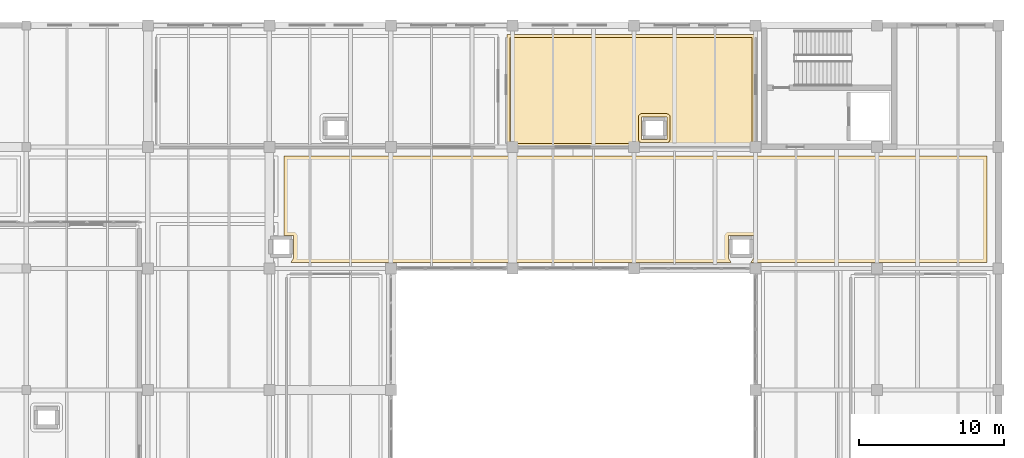
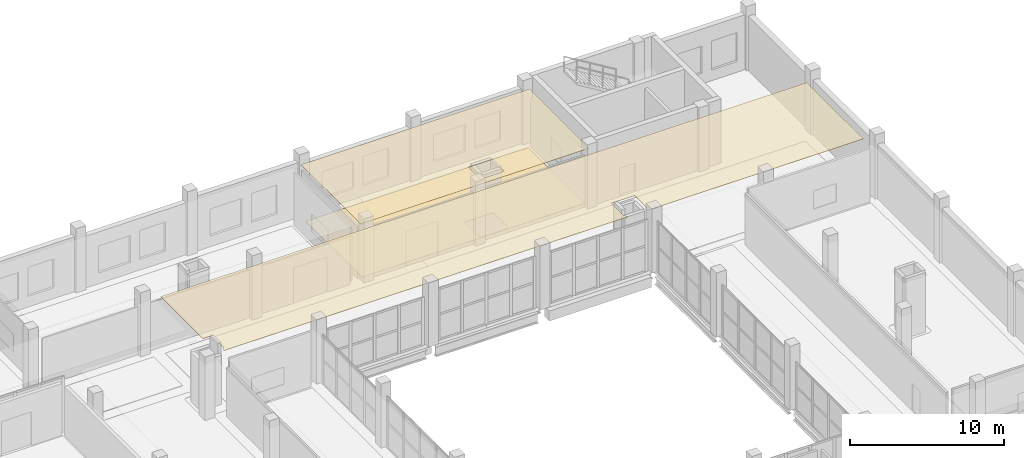
# One storey, part 76 of 77: 3 coverings.
"""IFC4 building model written with IfcOpenShell, lengths in metres."""

from ifc_helpers import new_model, si_unit, direction, frame, origin, place, context, subcontext, project, spatial, polyline, outline, extrude, material, layer, layer_set, type_object, element, save


model = new_model("IFC4")

# Units and contexts
model_context = context("Model", 3, precision=1e-05, world=origin(), true_north=direction((0.0, 1.0)))
body_context = subcontext(model_context, "Body", "Model", "MODEL_VIEW")
ifc_project = project(units=[si_unit("LENGTHUNIT", "METRE"), si_unit("AREAUNIT", "SQUARE_METRE"), si_unit("VOLUMEUNIT", "CUBIC_METRE"), si_unit("PLANEANGLEUNIT", "RADIAN"), si_unit("MASSUNIT", "GRAM", prefix="KILO")], contexts=[model_context])

# Site, building, storey
site_placement = place(None, origin())
site = spatial("IfcSite", under=ifc_project, at=site_placement, CompositionType="ELEMENT")
building_placement = place(site_placement, origin())
building = spatial("IfcBuilding", under=site, at=building_placement, Name="Zulmaris Art Gallery", CompositionType="ELEMENT")
storey_placement = place(building_placement, frame((0.0, 0.0, 15.60009765625)))
storey = spatial("IfcBuildingStorey", under=building, at=storey_placement, Name="L03", CompositionType="ELEMENT", Elevation=15.60009765625)

# Coverings
ifc_material_1 = material(Name="Micro-Perforated Gypsum Acoustic Ceiling", Category="gypsum")
ifc_layer_1 = layer(ifc_material_1, 0.02490234375)
ifc_layer_set_1 = layer_set([ifc_layer_1], Name="Micro-Perforated Gypsum Acoustic Ceiling")
covering_type_1 = type_object("IfcCoveringType", Name="COV-CL01", PredefinedType="CEILING", material=ifc_layer_set_1)
covering_1_placement = place(storey_placement, frame((0.0, 0.0, 4.449951171875)))
element("IfcCovering", 1, at=covering_1_placement, inside=storey, type_object=covering_type_1, Name="L03 V5 North Corridor acoustic ceiling", PredefinedType="CEILING", context=body_context, shape_type="SweptSolid", body=[
    extrude(outline(polyline([(151.678466796875, 59.54150390625), (151.67919921875, 59.544189453125), (151.6796875, 59.547119140625), (151.679931640625, 59.555419921875), (151.679931640625, 61.044677734375), (151.6796875, 61.052978515625), (151.67919921875, 61.055908203125), (151.678466796875, 61.05859375), (151.677490234375, 61.061279296875), (151.67626953125, 61.06396484375), (151.6748046875, 61.06640625), (151.673095703125, 61.06884765625), (151.6708984375, 61.071044921875), (151.6689453125, 61.072998046875), (151.66650390625, 61.07470703125), (151.6640625, 61.076171875), (151.661376953125, 61.077392578125), (151.65869140625, 61.07861328125), (151.65576171875, 61.0791015625), (151.65283203125, 61.07958984375), (151.64453125, 61.080078125), (151.010009765625, 61.080078125), (151.010009765625, 66.590087890625), (199.590087890625, 66.590087890625), (199.590087890625, 59.2099609375), (183.28076171875, 59.2099609375), (183.476318359375, 59.535888671875), (183.4775390625, 59.53857421875), (183.478515625, 59.54150390625), (183.479248046875, 59.544189453125), (183.4794921875, 59.547119140625), (183.47998046875, 59.555419921875), (183.47998046875, 61.044677734375), (183.4794921875, 61.052978515625), (183.479248046875, 61.055908203125), (183.478515625, 61.05859375), (183.4775390625, 61.061279296875), (183.476318359375, 61.06396484375), (183.474609375, 61.06640625), (183.472900390625, 61.06884765625), (183.470947265625, 61.071044921875), (183.468994140625, 61.072998046875), (183.466552734375, 61.07470703125), (183.464111328125, 61.076171875), (183.46142578125, 61.077392578125), (183.45849609375, 61.07861328125), (183.455810546875, 61.0791015625), (183.452880859375, 61.07958984375), (183.444580078125, 61.080078125), (181.75537109375, 61.080078125), (181.7470703125, 61.07958984375), (181.744140625, 61.0791015625), (181.741455078125, 61.07861328125), (181.738525390625, 61.077392578125), (181.736083984375, 61.076171875), (181.7333984375, 61.07470703125), (181.731201171875, 61.072998046875), (181.72900390625, 61.071044921875), (181.72705078125, 61.06884765625), (181.725341796875, 61.06640625), (181.723876953125, 61.06396484375), (181.722412109375, 61.061279296875), (181.721435546875, 61.05859375), (181.720703125, 61.055908203125), (181.720458984375, 61.052978515625), (181.719970703125, 61.044677734375), (181.719970703125, 59.555419921875), (181.720458984375, 59.547119140625), (181.720703125, 59.544189453125), (181.721435546875, 59.54150390625), (181.722412109375, 59.53857421875), (181.723876953125, 59.535888671875), (181.919189453125, 59.2099609375), (151.480712890625, 59.2099609375), (151.67626953125, 59.535888671875), (151.677490234375, 59.53857421875), (151.678466796875, 59.54150390625)])), origin(), (0.0, 0.0, 1.0), 0.030029296875),
])
covering_2_placement = place(storey_placement, frame((0.0, 0.0, 4.449951171875)))
element("IfcCovering", 2, at=covering_2_placement, inside=storey, type_object=covering_type_1, Name="Analytical XRF & Microscopy Conservation Lab acoustic ceiling", PredefinedType="CEILING", context=body_context, shape_type="SweptSolid", body=[
    extrude(outline(polyline([(166.409912109375, 74.989990234375), (183.590087890625, 74.989990234375), (183.590087890625, 67.2099609375), (166.409912109375, 67.2099609375), (166.409912109375, 74.989990234375)]), holes=[polyline([(175.741455078125, 69.278564453125), (175.738525390625, 69.277587890625), (175.736083984375, 69.276123046875), (175.7333984375, 69.274658203125), (175.731201171875, 69.27294921875), (175.72900390625, 69.27099609375), (175.72705078125, 69.268798828125), (175.725341796875, 69.2666015625), (175.723876953125, 69.263916015625), (175.722412109375, 69.261474609375), (175.721435546875, 69.258544921875), (175.720703125, 69.255859375), (175.720458984375, 69.2529296875), (175.719970703125, 69.24462890625), (175.719970703125, 67.75537109375), (175.720458984375, 67.7470703125), (175.720703125, 67.744140625), (175.721435546875, 67.741455078125), (175.722412109375, 67.738525390625), (175.723876953125, 67.736083984375), (175.725341796875, 67.7333984375), (175.72705078125, 67.731201171875), (175.72900390625, 67.72900390625), (175.731201171875, 67.72705078125), (175.7333984375, 67.725341796875), (175.736083984375, 67.723876953125), (175.738525390625, 67.722412109375), (175.741455078125, 67.721435546875), (175.744140625, 67.720703125), (175.7470703125, 67.720458984375), (175.75537109375, 67.719970703125), (177.444580078125, 67.719970703125), (177.452880859375, 67.720458984375), (177.455810546875, 67.720703125), (177.45849609375, 67.721435546875), (177.46142578125, 67.722412109375), (177.464111328125, 67.723876953125), (177.466552734375, 67.725341796875), (177.468994140625, 67.72705078125), (177.470947265625, 67.72900390625), (177.472900390625, 67.731201171875), (177.474609375, 67.7333984375), (177.476318359375, 67.736083984375), (177.4775390625, 67.738525390625), (177.478515625, 67.741455078125), (177.479248046875, 67.744140625), (177.4794921875, 67.7470703125), (177.47998046875, 67.75537109375), (177.47998046875, 69.24462890625), (177.4794921875, 69.2529296875), (177.479248046875, 69.255859375), (177.478515625, 69.258544921875), (177.4775390625, 69.261474609375), (177.476318359375, 69.263916015625), (177.474609375, 69.2666015625), (177.472900390625, 69.268798828125), (177.470947265625, 69.27099609375), (177.468994140625, 69.27294921875), (177.466552734375, 69.274658203125), (177.464111328125, 69.276123046875), (177.46142578125, 69.277587890625), (177.45849609375, 69.278564453125), (177.455810546875, 69.279296875), (177.452880859375, 69.279541015625), (177.444580078125, 69.280029296875), (175.75537109375, 69.280029296875), (175.7470703125, 69.279541015625), (175.744140625, 69.279296875), (175.741455078125, 69.278564453125)])]), origin(), (0.0, 0.0, 1.0), 0.030029296875),
])
ifc_material_2 = material(Name="Honed Omani Limestone Terrazzo Flooring", Category="masonry")
ifc_layer_2 = layer(ifc_material_2, 0.0400390625)
ifc_layer_set_2 = layer_set([ifc_layer_2], Name="Honed Omani Limestone Terrazzo Flooring")
covering_type_2 = type_object("IfcCoveringType", Name="COV-FL01", PredefinedType="FLOORING", material=ifc_layer_set_2)
covering_3_placement = place(storey_placement, origin())
element("IfcCovering", 3, at=covering_3_placement, inside=storey, type_object=covering_type_2, Name="Analytical XRF & Microscopy Conservation Lab finish flooring", PredefinedType="FLOORING", context=body_context, shape_type="SweptSolid", body=[
    extrude(outline(polyline([(183.3701171875, 67.429931640625), (166.6298828125, 67.429931640625), (166.6298828125, 74.77001953125), (183.3701171875, 74.77001953125), (183.3701171875, 67.429931640625)]), holes=[polyline([(175.7255859375, 69.498779296875), (175.701171875, 69.4951171875), (175.677490234375, 69.4892578125), (175.654296875, 69.48095703125), (175.632080078125, 69.470458984375), (175.611083984375, 69.4580078125), (175.59130859375, 69.443359375), (175.5732421875, 69.4267578125), (175.556640625, 69.40869140625), (175.5419921875, 69.388916015625), (175.529541015625, 69.367919921875), (175.51904296875, 69.345703125), (175.5107421875, 69.322509765625), (175.5048828125, 69.298828125), (175.501220703125, 69.2744140625), (175.5, 69.25), (175.5, 67.75), (175.501220703125, 67.7255859375), (175.5048828125, 67.701171875), (175.5107421875, 67.677490234375), (175.51904296875, 67.654296875), (175.529541015625, 67.632080078125), (175.5419921875, 67.611083984375), (175.556640625, 67.59130859375), (175.5732421875, 67.5732421875), (175.59130859375, 67.556640625), (175.611083984375, 67.5419921875), (175.632080078125, 67.529541015625), (175.654296875, 67.51904296875), (175.677490234375, 67.5107421875), (175.701171875, 67.5048828125), (175.7255859375, 67.501220703125), (175.75, 67.5), (177.449951171875, 67.5), (177.474609375, 67.501220703125), (177.498779296875, 67.5048828125), (177.522705078125, 67.5107421875), (177.545654296875, 67.51904296875), (177.56787109375, 67.529541015625), (177.5888671875, 67.5419921875), (177.608642578125, 67.556640625), (177.626708984375, 67.5732421875), (177.643310546875, 67.59130859375), (177.657958984375, 67.611083984375), (177.67041015625, 67.632080078125), (177.680908203125, 67.654296875), (177.689208984375, 67.677490234375), (177.6953125, 67.701171875), (177.69873046875, 67.7255859375), (177.699951171875, 67.75), (177.699951171875, 69.25), (177.69873046875, 69.2744140625), (177.6953125, 69.298828125), (177.689208984375, 69.322509765625), (177.680908203125, 69.345703125), (177.67041015625, 69.367919921875), (177.657958984375, 69.388916015625), (177.643310546875, 69.40869140625), (177.626708984375, 69.4267578125), (177.608642578125, 69.443359375), (177.5888671875, 69.4580078125), (177.56787109375, 69.470458984375), (177.545654296875, 69.48095703125), (177.522705078125, 69.4892578125), (177.498779296875, 69.4951171875), (177.474609375, 69.498779296875), (177.449951171875, 69.5), (175.75, 69.5), (175.7255859375, 69.498779296875)])]), origin(), (0.0, 0.0, 1.0), 0.034912109375),
])

save(model, "model.ifc")
